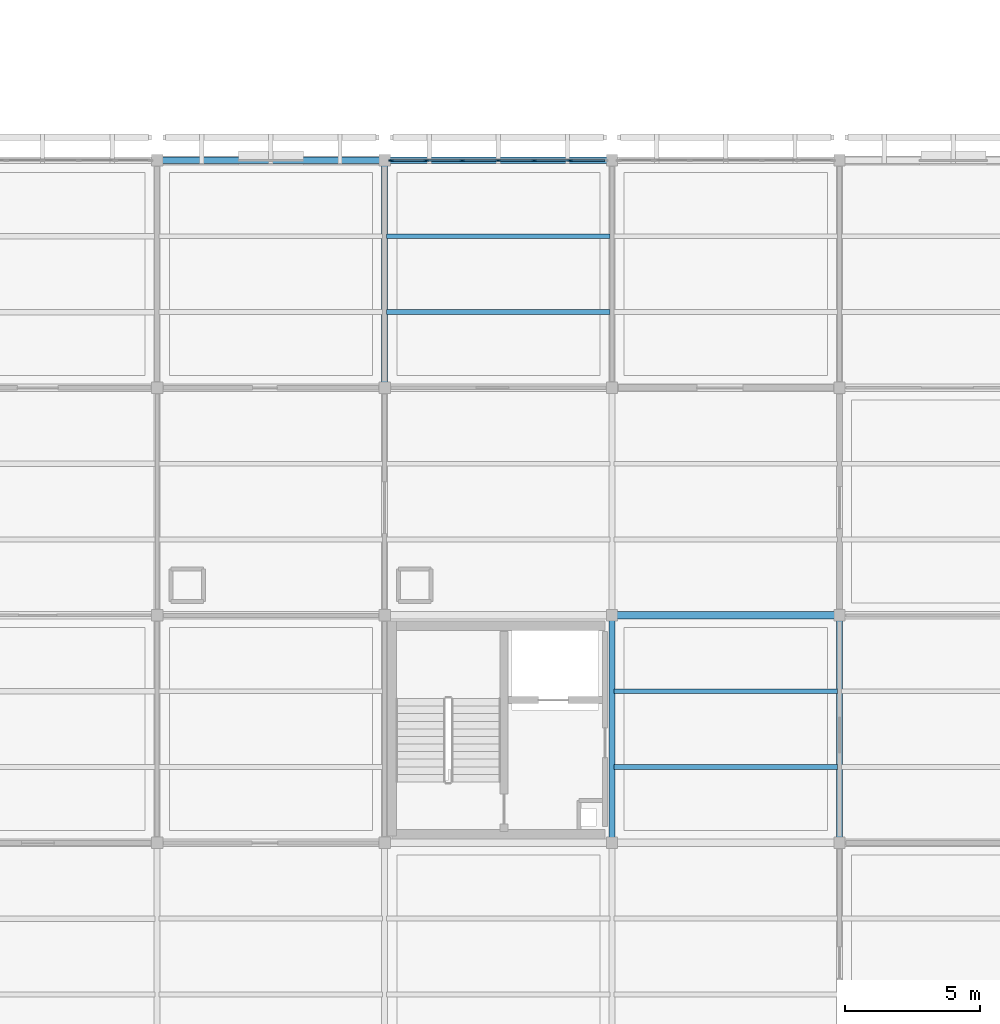
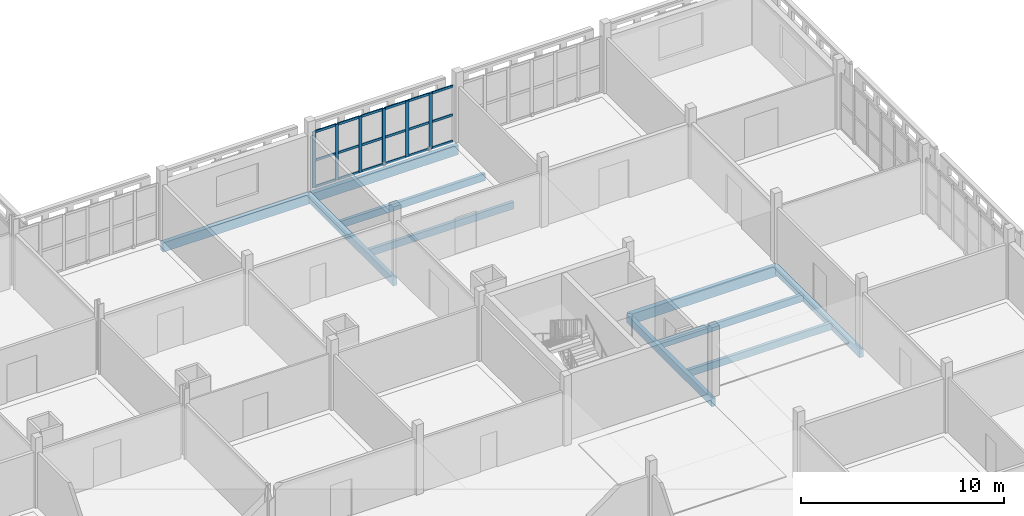
# One storey, part 73 of 166: 24 members, 10 beams, 1 element without a shape of its own.
"""IFC4 building model written with IfcOpenShell, lengths in metres."""

from ifc_helpers import new_model, si_unit, direction, frame, origin, origin_2d, place, context, subcontext, project, spatial, rectangle, extrude, material, layer, layer_set, material_profile, profile_set, type_object, element, aggregate, save


model = new_model("IFC4")

# Units and contexts
model_context = context("Model", 3, precision=1e-05, world=origin(), true_north=direction((0.0, 1.0)))
body_context = subcontext(model_context, "Body", "Model", "MODEL_VIEW")
ifc_project = project(units=[si_unit("LENGTHUNIT", "METRE"), si_unit("AREAUNIT", "SQUARE_METRE"), si_unit("VOLUMEUNIT", "CUBIC_METRE"), si_unit("PLANEANGLEUNIT", "RADIAN"), si_unit("MASSUNIT", "GRAM", prefix="KILO")], contexts=[model_context])

# Site, building, storey
site_placement = place(None, origin())
site = spatial("IfcSite", under=ifc_project, at=site_placement, CompositionType="ELEMENT")
building_placement = place(site_placement, origin())
building = spatial("IfcBuilding", under=site, at=building_placement, Name="Varnapada Polytechnic", CompositionType="ELEMENT")
storey_placement = place(building_placement, frame((0.0, 0.0, 9.60009765625)))
storey = spatial("IfcBuildingStorey", under=building, at=storey_placement, Name="L02", CompositionType="ELEMENT", Elevation=9.60009765625)

# Curtain wall, members
ifc_material_1 = material(Name="Double low-E laminated glass", Category="glass")
ifc_layer = layer(ifc_material_1, 0.179931640625)
ifc_layer_set = layer_set([ifc_layer], Name="Double low-E laminated glass")
curtain_wall_type = type_object("IfcCurtainWallType", Name="Curtain Wall CW-04", PredefinedType="NOTDEFINED", material=ifc_layer_set)
curtain_wall_placement = place(storey_placement, origin())
curtain_wall = element("IfcCurtainWall", 1, at=curtain_wall_placement, inside=storey, type_object=curtain_wall_type, Name="L02 unitised curtain wall CW-04 (197)", PredefinedType="NOTDEFINED")
ifc_material_2 = material(Name="Anodised aluminium", Category="aluminium")
ifc_material_profile_1 = material_profile(ifc_material_2, rectangle(XDim=0.06494140625, YDim=0.179931640625, at=origin_2d()), Name="ALU M65x180")
ifc_profile_set_1 = profile_set([ifc_material_profile_1], Name="Anodised aluminium")
member_type_1 = type_object("IfcMemberType", Name="Mullion M-02", PredefinedType="MULLION", material=ifc_profile_set_1)
member_1_placement = place(storey_placement, frame((151.4423828125, 117.60009765625, 0.0), z_axis=(0.0, 0.0, 1.0), x_axis=(0.0, 1.0, 0.0)))
member_1 = element("IfcMember", 2, at=member_1_placement, type_object=member_type_1, Name="CW-04 mullion 1", PredefinedType="MULLION", context=body_context, shape_type="SweptSolid", body=[
    extrude(rectangle(XDim=0.06494140625, YDim=0.179931640625, at=origin_2d()), origin(), (0.0, 0.0, 1.0), 3.35986328125),
])
member_2_placement = place(storey_placement, frame((152.739990234375, 117.60009765625, 0.0), z_axis=(0.0, 0.0, 1.0), x_axis=(0.0, 1.0, 0.0)))
member_2 = element("IfcMember", 3, at=member_2_placement, type_object=member_type_1, Name="CW-04 mullion 2", PredefinedType="MULLION", context=body_context, shape_type="SweptSolid", body=[
    extrude(rectangle(XDim=0.06494140625, YDim=0.179931640625, at=origin_2d()), origin(), (0.0, 0.0, 1.0), 3.35986328125),
])
member_3_placement = place(storey_placement, frame((154.070068359375, 117.60009765625, 0.0), z_axis=(0.0, 0.0, 1.0), x_axis=(0.0, 1.0, 0.0)))
member_3 = element("IfcMember", 4, at=member_3_placement, type_object=member_type_1, Name="CW-04 mullion 3", PredefinedType="MULLION", context=body_context, shape_type="SweptSolid", body=[
    extrude(rectangle(XDim=0.06494140625, YDim=0.179931640625, at=origin_2d()), origin(), (0.0, 0.0, 1.0), 3.35986328125),
])
member_4_placement = place(storey_placement, frame((155.39990234375, 117.60009765625, 0.0), z_axis=(0.0, 0.0, 1.0), x_axis=(0.0, 1.0, 0.0)))
member_4 = element("IfcMember", 5, at=member_4_placement, type_object=member_type_1, Name="CW-04 mullion 4", PredefinedType="MULLION", context=body_context, shape_type="SweptSolid", body=[
    extrude(rectangle(XDim=0.06494140625, YDim=0.179931640625, at=origin_2d()), origin(), (0.0, 0.0, 1.0), 3.35986328125),
])
member_5_placement = place(storey_placement, frame((156.72998046875, 117.60009765625, 0.0), z_axis=(0.0, 0.0, 1.0), x_axis=(0.0, 1.0, 0.0)))
member_5 = element("IfcMember", 6, at=member_5_placement, type_object=member_type_1, Name="CW-04 mullion 5", PredefinedType="MULLION", context=body_context, shape_type="SweptSolid", body=[
    extrude(rectangle(XDim=0.06494140625, YDim=0.179931640625, at=origin_2d()), origin(), (0.0, 0.0, 1.0), 3.35986328125),
])
member_6_placement = place(storey_placement, frame((158.06005859375, 117.60009765625, 0.0), z_axis=(0.0, 0.0, 1.0), x_axis=(0.0, 1.0, 0.0)))
member_6 = element("IfcMember", 7, at=member_6_placement, type_object=member_type_1, Name="CW-04 mullion 6", PredefinedType="MULLION", context=body_context, shape_type="SweptSolid", body=[
    extrude(rectangle(XDim=0.06494140625, YDim=0.179931640625, at=origin_2d()), origin(), (0.0, 0.0, 1.0), 3.35986328125),
])

# Beams
ifc_material_3 = material(Name="Glulam GL32h", Category="wood")
ifc_material_profile_2 = material_profile(ifc_material_3, rectangle(XDim=0.239990234375, YDim=0.56005859375, at=origin_2d()), Name="GL 240x560")
ifc_profile_set_2 = profile_set([ifc_material_profile_2], Name="Glulam GL32h")
beam_type_1 = type_object("IfcBeamType", Name="Perimeter glulam spandrel beam SP-02 (GL 240x560)", PredefinedType="SPANDREL", material=ifc_profile_set_2)
beam_1_placement = place(storey_placement, frame((142.800048828125, 117.60009765625, -0.530029296875), z_axis=(1.0, 0.0, 0.0), x_axis=(0.0, 1.0, 0.0)))
element("IfcBeam", 8, at=beam_1_placement, inside=storey, type_object=beam_type_1, Name="L02 beam X 18-19 at Y15", PredefinedType="SPANDREL", context=body_context, shape_type="SweptSolid", body=[
    extrude(rectangle(XDim=0.239990234375, YDim=0.56005859375, at=origin_2d()), origin(), (0.0, 0.0, 1.0), 8.39990234375),
])
beam_2_placement = place(storey_placement, frame((151.199951171875, 117.60009765625, -0.530029296875), z_axis=(1.0, 0.0, 0.0), x_axis=(0.0, 1.0, 0.0)))
element("IfcBeam", 9, at=beam_2_placement, inside=storey, type_object=beam_type_1, Name="L02 beam X 19-20 at Y15", PredefinedType="SPANDREL", context=body_context, shape_type="SweptSolid", body=[
    extrude(rectangle(XDim=0.239990234375, YDim=0.56005859375, at=origin_2d()), origin(), (0.0, 0.0, 1.0), 8.400146484375),
])
ifc_material_profile_3 = material_profile(ifc_material_3, rectangle(XDim=0.280029296875, YDim=0.60009765625, at=origin_2d()), Name="GL 280x600")
ifc_profile_set_3 = profile_set([ifc_material_profile_3], Name="Glulam GL32h")
beam_type_2 = type_object("IfcBeamType", Name="Reading hall glulam girder GG-08 (GL 280x600)", PredefinedType="BEAM", material=ifc_profile_set_3)
beam_3_placement = place(storey_placement, frame((159.60009765625, 100.800048828125, -0.550048828125), z_axis=(1.0, 0.0, 0.0), x_axis=(0.0, 1.0, 0.0)))
element("IfcBeam", 10, at=beam_3_placement, inside=storey, type_object=beam_type_2, Name="L02 beam X 20-21 at Y13", PredefinedType="BEAM", context=body_context, shape_type="SweptSolid", body=[
    extrude(rectangle(XDim=0.280029296875, YDim=0.60009765625, at=origin_2d()), origin(), (0.0, 0.0, 1.0), 8.39990234375),
])
ifc_material_profile_4 = material_profile(ifc_material_3, rectangle(XDim=0.179931640625, YDim=0.419921875, at=origin_2d()), Name="GL 180x420")
ifc_profile_set_4 = profile_set([ifc_material_profile_4], Name="Glulam GL32h")
beam_type_3 = type_object("IfcBeamType", Name="Reading hall glulam joist GJ-04 (GL 180x420)", PredefinedType="JOIST", material=ifc_profile_set_4)
for number, where, z_axis, x_axis, name in (
    (11, (151.280029296875, 112.0, -0.460205078125), (1.0, 0.0, 0.0), (0.0, 1.0, 0.0), "L02 floor joist 19/14.1"),
    (12, (151.280029296875, 114.800048828125, -0.460205078125), (1.0, 0.0, 0.0), (0.0, 1.0, 0.0), "L02 floor joist 19/14.2"),
    (13, (159.679931640625, 95.199951171875, -0.460205078125), (1.0, 0.0, 0.0), (0.0, 1.0, 0.0), "L02 floor joist 20/12.1"),
    (14, (159.679931640625, 98.0, -0.460205078125), (1.0, 0.0, 0.0), (0.0, 1.0, 0.0), "L02 floor joist 20/12.2"),
):
    element("IfcBeam", number, at=place(storey_placement, frame(where, z_axis=z_axis, x_axis=x_axis)), inside=storey, type_object=beam_type_3, Name=name, PredefinedType="JOIST", context=body_context, shape_type="SweptSolid", body=[
        extrude(rectangle(XDim=0.179931640625, YDim=0.419921875, at=origin_2d()), origin(), (0.0, 0.0, 1.0), 8.239990234375),
    ])

# Member
ifc_material_profile_5 = material_profile(ifc_material_2, rectangle(XDim=0.06494140625, YDim=0.139892578125, at=origin_2d()), Name="ALU T65x140")
ifc_profile_set_5 = profile_set([ifc_material_profile_5], Name="Anodised aluminium")
member_type_2 = type_object("IfcMemberType", Name="Transom T-02", PredefinedType="USERDEFINED", material=ifc_profile_set_5)
member_7_placement = place(storey_placement, frame((151.47509765625, 117.60009765625, 0.032470703125), z_axis=(1.0, 0.0, 0.0), x_axis=(0.0, 1.0, 0.0)))
member_7 = element("IfcMember", 15, at=member_7_placement, type_object=member_type_2, Name="CW-04 transom 1.1", ObjectType="TRANSOM", PredefinedType="USERDEFINED", context=body_context, shape_type="SweptSolid", body=[
    extrude(rectangle(XDim=0.06494140625, YDim=0.139892578125, at=origin_2d()), origin(), (0.0, 0.0, 1.0), 1.232421875),
])

member_8_placement = place(storey_placement, frame((151.47509765625, 117.60009765625, 1.61279296875), z_axis=(1.0, 0.0, 0.0), x_axis=(0.0, 1.0, 0.0)))
member_8 = element("IfcMember", 16, at=member_8_placement, type_object=member_type_2, Name="CW-04 transom 1.2", ObjectType="TRANSOM", PredefinedType="USERDEFINED", context=body_context, shape_type="SweptSolid", body=[
    extrude(rectangle(XDim=0.06494140625, YDim=0.139892578125, at=origin_2d()), origin(), (0.0, 0.0, 1.0), 1.232421875),
])

member_9_placement = place(storey_placement, frame((151.47509765625, 117.60009765625, 3.327392578125), z_axis=(1.0, 0.0, 0.0), x_axis=(0.0, 1.0, 0.0)))
member_9 = element("IfcMember", 17, at=member_9_placement, type_object=member_type_2, Name="CW-04 transom 1.3", ObjectType="TRANSOM", PredefinedType="USERDEFINED", context=body_context, shape_type="SweptSolid", body=[
    extrude(rectangle(XDim=0.06494140625, YDim=0.139892578125, at=origin_2d()), origin(), (0.0, 0.0, 1.0), 1.232421875),
])

member_10_placement = place(storey_placement, frame((152.7724609375, 117.60009765625, 0.032470703125), z_axis=(1.0, 0.0, 0.0), x_axis=(0.0, 1.0, 0.0)))
member_10 = element("IfcMember", 18, at=member_10_placement, type_object=member_type_2, Name="CW-04 transom 2.1", ObjectType="TRANSOM", PredefinedType="USERDEFINED", context=body_context, shape_type="SweptSolid", body=[
    extrude(rectangle(XDim=0.06494140625, YDim=0.139892578125, at=origin_2d()), origin(), (0.0, 0.0, 1.0), 1.26513671875),
])

member_11_placement = place(storey_placement, frame((152.7724609375, 117.60009765625, 1.61279296875), z_axis=(1.0, 0.0, 0.0), x_axis=(0.0, 1.0, 0.0)))
member_11 = element("IfcMember", 19, at=member_11_placement, type_object=member_type_2, Name="CW-04 transom 2.2", ObjectType="TRANSOM", PredefinedType="USERDEFINED", context=body_context, shape_type="SweptSolid", body=[
    extrude(rectangle(XDim=0.06494140625, YDim=0.139892578125, at=origin_2d()), origin(), (0.0, 0.0, 1.0), 1.26513671875),
])

member_12_placement = place(storey_placement, frame((152.7724609375, 117.60009765625, 3.327392578125), z_axis=(1.0, 0.0, 0.0), x_axis=(0.0, 1.0, 0.0)))
member_12 = element("IfcMember", 20, at=member_12_placement, type_object=member_type_2, Name="CW-04 transom 2.3", ObjectType="TRANSOM", PredefinedType="USERDEFINED", context=body_context, shape_type="SweptSolid", body=[
    extrude(rectangle(XDim=0.06494140625, YDim=0.139892578125, at=origin_2d()), origin(), (0.0, 0.0, 1.0), 1.26513671875),
])

member_13_placement = place(storey_placement, frame((154.1025390625, 117.60009765625, 0.032470703125), z_axis=(1.0, 0.0, 0.0), x_axis=(0.0, 1.0, 0.0)))
member_13 = element("IfcMember", 21, at=member_13_placement, type_object=member_type_2, Name="CW-04 transom 3.1", ObjectType="TRANSOM", PredefinedType="USERDEFINED", context=body_context, shape_type="SweptSolid", body=[
    extrude(rectangle(XDim=0.06494140625, YDim=0.139892578125, at=origin_2d()), origin(), (0.0, 0.0, 1.0), 1.264892578125),
])

member_14_placement = place(storey_placement, frame((154.1025390625, 117.60009765625, 1.61279296875), z_axis=(1.0, 0.0, 0.0), x_axis=(0.0, 1.0, 0.0)))
member_14 = element("IfcMember", 22, at=member_14_placement, type_object=member_type_2, Name="CW-04 transom 3.2", ObjectType="TRANSOM", PredefinedType="USERDEFINED", context=body_context, shape_type="SweptSolid", body=[
    extrude(rectangle(XDim=0.06494140625, YDim=0.139892578125, at=origin_2d()), origin(), (0.0, 0.0, 1.0), 1.264892578125),
])

member_15_placement = place(storey_placement, frame((154.1025390625, 117.60009765625, 3.327392578125), z_axis=(1.0, 0.0, 0.0), x_axis=(0.0, 1.0, 0.0)))
member_15 = element("IfcMember", 23, at=member_15_placement, type_object=member_type_2, Name="CW-04 transom 3.3", ObjectType="TRANSOM", PredefinedType="USERDEFINED", context=body_context, shape_type="SweptSolid", body=[
    extrude(rectangle(XDim=0.06494140625, YDim=0.139892578125, at=origin_2d()), origin(), (0.0, 0.0, 1.0), 1.264892578125),
])

member_16_placement = place(storey_placement, frame((155.4326171875, 117.60009765625, 0.032470703125), z_axis=(1.0, 0.0, 0.0), x_axis=(0.0, 1.0, 0.0)))
member_16 = element("IfcMember", 24, at=member_16_placement, type_object=member_type_2, Name="CW-04 transom 4.1", ObjectType="TRANSOM", PredefinedType="USERDEFINED", context=body_context, shape_type="SweptSolid", body=[
    extrude(rectangle(XDim=0.06494140625, YDim=0.139892578125, at=origin_2d()), origin(), (0.0, 0.0, 1.0), 1.264892578125),
])

member_17_placement = place(storey_placement, frame((155.4326171875, 117.60009765625, 1.61279296875), z_axis=(1.0, 0.0, 0.0), x_axis=(0.0, 1.0, 0.0)))
member_17 = element("IfcMember", 25, at=member_17_placement, type_object=member_type_2, Name="CW-04 transom 4.2", ObjectType="TRANSOM", PredefinedType="USERDEFINED", context=body_context, shape_type="SweptSolid", body=[
    extrude(rectangle(XDim=0.06494140625, YDim=0.139892578125, at=origin_2d()), origin(), (0.0, 0.0, 1.0), 1.264892578125),
])

member_18_placement = place(storey_placement, frame((155.4326171875, 117.60009765625, 3.327392578125), z_axis=(1.0, 0.0, 0.0), x_axis=(0.0, 1.0, 0.0)))
member_18 = element("IfcMember", 26, at=member_18_placement, type_object=member_type_2, Name="CW-04 transom 4.3", ObjectType="TRANSOM", PredefinedType="USERDEFINED", context=body_context, shape_type="SweptSolid", body=[
    extrude(rectangle(XDim=0.06494140625, YDim=0.139892578125, at=origin_2d()), origin(), (0.0, 0.0, 1.0), 1.264892578125),
])

member_19_placement = place(storey_placement, frame((156.762451171875, 117.60009765625, 0.032470703125), z_axis=(1.0, 0.0, 0.0), x_axis=(0.0, 1.0, 0.0)))
member_19 = element("IfcMember", 27, at=member_19_placement, type_object=member_type_2, Name="CW-04 transom 5.1", ObjectType="TRANSOM", PredefinedType="USERDEFINED", context=body_context, shape_type="SweptSolid", body=[
    extrude(rectangle(XDim=0.06494140625, YDim=0.139892578125, at=origin_2d()), origin(), (0.0, 0.0, 1.0), 1.26513671875),
])

member_20_placement = place(storey_placement, frame((156.762451171875, 117.60009765625, 1.61279296875), z_axis=(1.0, 0.0, 0.0), x_axis=(0.0, 1.0, 0.0)))
member_20 = element("IfcMember", 28, at=member_20_placement, type_object=member_type_2, Name="CW-04 transom 5.2", ObjectType="TRANSOM", PredefinedType="USERDEFINED", context=body_context, shape_type="SweptSolid", body=[
    extrude(rectangle(XDim=0.06494140625, YDim=0.139892578125, at=origin_2d()), origin(), (0.0, 0.0, 1.0), 1.26513671875),
])

member_21_placement = place(storey_placement, frame((156.762451171875, 117.60009765625, 3.327392578125), z_axis=(1.0, 0.0, 0.0), x_axis=(0.0, 1.0, 0.0)))
member_21 = element("IfcMember", 29, at=member_21_placement, type_object=member_type_2, Name="CW-04 transom 5.3", ObjectType="TRANSOM", PredefinedType="USERDEFINED", context=body_context, shape_type="SweptSolid", body=[
    extrude(rectangle(XDim=0.06494140625, YDim=0.139892578125, at=origin_2d()), origin(), (0.0, 0.0, 1.0), 1.26513671875),
])

member_22_placement = place(storey_placement, frame((158.092529296875, 117.60009765625, 0.032470703125), z_axis=(1.0, 0.0, 0.0), x_axis=(0.0, 1.0, 0.0)))
member_22 = element("IfcMember", 30, at=member_22_placement, type_object=member_type_2, Name="CW-04 transom 6.1", ObjectType="TRANSOM", PredefinedType="USERDEFINED", context=body_context, shape_type="SweptSolid", body=[
    extrude(rectangle(XDim=0.06494140625, YDim=0.139892578125, at=origin_2d()), origin(), (0.0, 0.0, 1.0), 1.232421875),
])

member_23_placement = place(storey_placement, frame((158.092529296875, 117.60009765625, 1.61279296875), z_axis=(1.0, 0.0, 0.0), x_axis=(0.0, 1.0, 0.0)))
member_23 = element("IfcMember", 31, at=member_23_placement, type_object=member_type_2, Name="CW-04 transom 6.2", ObjectType="TRANSOM", PredefinedType="USERDEFINED", context=body_context, shape_type="SweptSolid", body=[
    extrude(rectangle(XDim=0.06494140625, YDim=0.139892578125, at=origin_2d()), origin(), (0.0, 0.0, 1.0), 1.232421875),
])

member_24_placement = place(storey_placement, frame((158.092529296875, 117.60009765625, 3.327392578125), z_axis=(1.0, 0.0, 0.0), x_axis=(0.0, 1.0, 0.0)))
member_24 = element("IfcMember", 32, at=member_24_placement, type_object=member_type_2, Name="CW-04 transom 6.3", ObjectType="TRANSOM", PredefinedType="USERDEFINED", context=body_context, shape_type="SweptSolid", body=[
    extrude(rectangle(XDim=0.06494140625, YDim=0.139892578125, at=origin_2d()), origin(), (0.0, 0.0, 1.0), 1.232421875),
])

aggregate(curtain_wall, [member_1, member_2, member_3, member_4, member_5, member_6, member_7, member_8, member_9, member_10, member_11, member_12, member_13, member_14, member_15, member_16, member_17, member_18, member_19, member_20, member_21, member_22, member_23, member_24])

# Beams
ifc_material_profile_6 = material_profile(ifc_material_3, rectangle(XDim=0.219970703125, YDim=0.47998046875, at=origin_2d()), Name="GL 220x480")
ifc_profile_set_6 = profile_set([ifc_material_profile_6], Name="Glulam GL32h")
beam_type_4 = type_object("IfcBeamType", Name="Upper floor glulam tie beam GB-11 (GL 220x480)", PredefinedType="BEAM", material=ifc_profile_set_6)
for number, where, z_axis, x_axis, name in (
    (33, (151.199951171875, 109.199951171875, -0.489990234375), (0.0, 1.0, 0.0), (-1.0, 0.0, 0.0), "L02 beam Y 14-15 at X19"),
    (34, (159.60009765625, 92.39990234375, -0.489990234375), (0.0, 1.0, 0.0), (-1.0, 0.0, 0.0), "L02 beam Y 12-13 at X20"),
    (35, (168.0, 92.39990234375, -0.489990234375), (0.0, 1.0, 0.0), (-1.0, 0.0, 0.0), "L02 beam Y 12-13 at X21"),
):
    element("IfcBeam", number, at=place(storey_placement, frame(where, z_axis=z_axis, x_axis=x_axis)), inside=storey, type_object=beam_type_4, Name=name, PredefinedType="BEAM", context=body_context, shape_type="SweptSolid", body=[
        extrude(rectangle(XDim=0.219970703125, YDim=0.47998046875, at=origin_2d()), origin(), (0.0, 0.0, 1.0), 8.400146484375),
    ])

save(model, "model.ifc")
